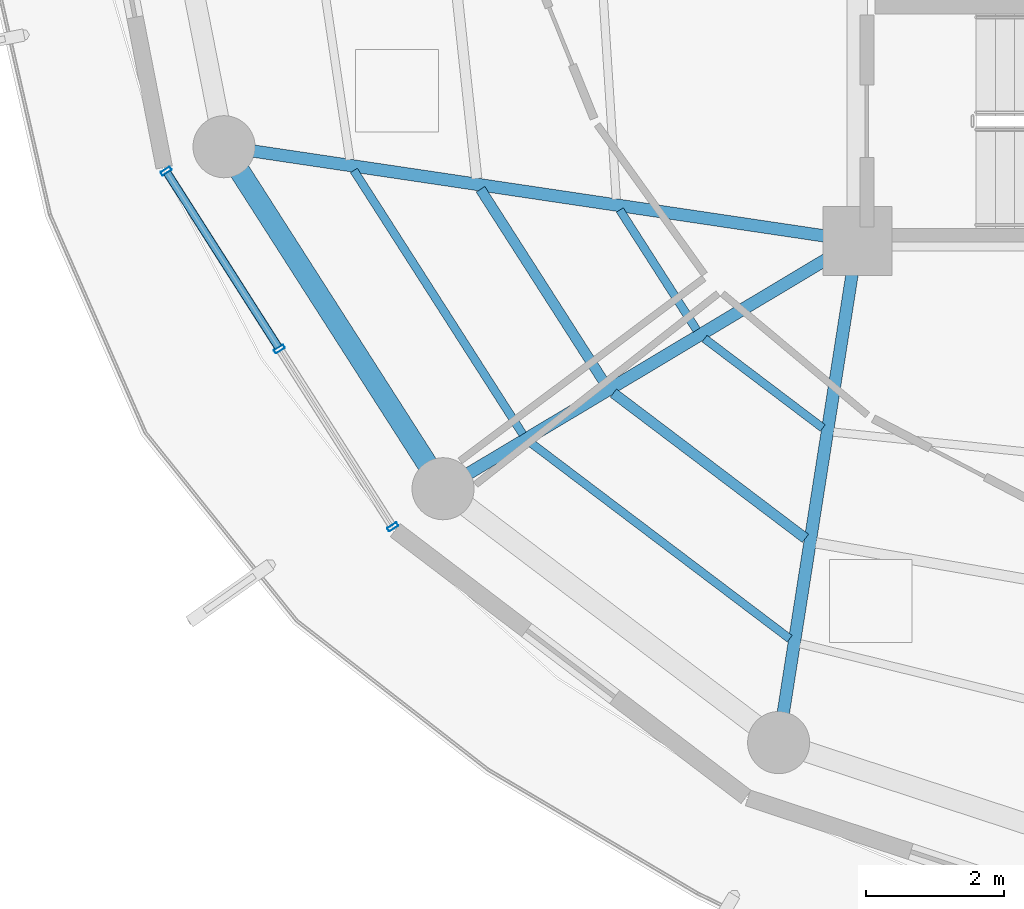
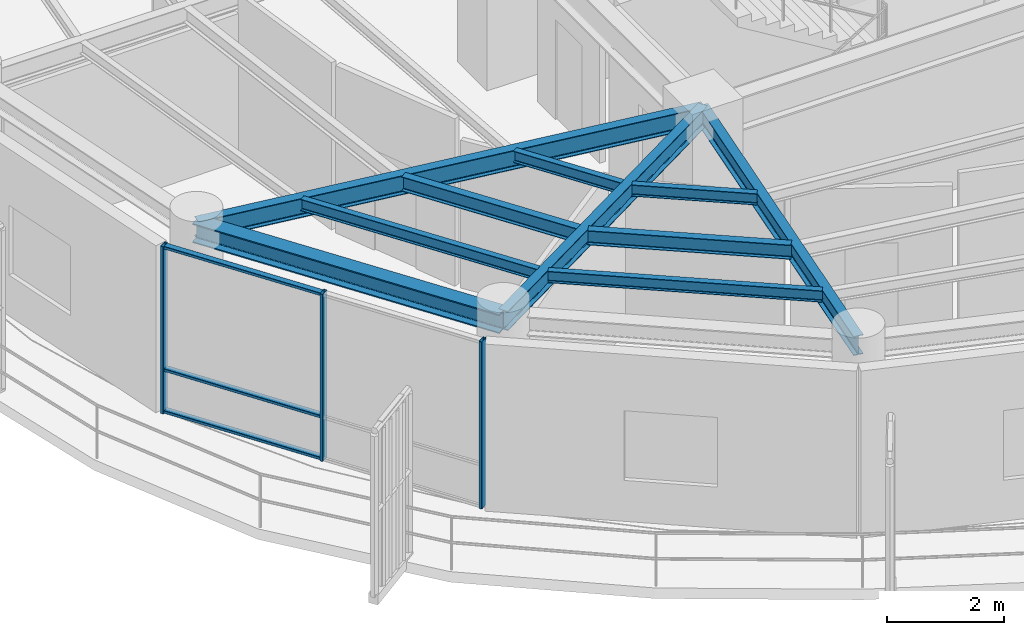
# One storey, part 2 of 22: 10 beams, 6 members, 1 element without a shape of its own.
"""IFC4 building model written with IfcOpenShell, lengths in metres."""

from ifc_helpers import new_model, si_unit, direction, frame, origin, origin_2d, place, context, subcontext, project, spatial, hollow_rectangle, i_section, extrude, material, layer, layer_set, material_profile, profile_set, type_object, element, aggregate, save


model = new_model("IFC4")

# Units and contexts
model_context = context("Model", 3, precision=1e-05, world=origin(), true_north=direction((0.0, 1.0)))
body_context = subcontext(model_context, "Body", "Model", "MODEL_VIEW")
ifc_project = project(units=[si_unit("LENGTHUNIT", "METRE"), si_unit("AREAUNIT", "SQUARE_METRE"), si_unit("VOLUMEUNIT", "CUBIC_METRE"), si_unit("PLANEANGLEUNIT", "RADIAN"), si_unit("MASSUNIT", "GRAM", prefix="KILO")], contexts=[model_context])

# Site, building, storey
site_placement = place(None, origin())
site = spatial("IfcSite", under=ifc_project, at=site_placement, CompositionType="ELEMENT")
building_placement = place(site_placement, origin())
building = spatial("IfcBuilding", under=site, at=building_placement, Name="Kelanora Arch Commons", CompositionType="ELEMENT")
storey_placement = place(building_placement, frame((0.0, 0.0, 267.449951171875)))
storey = spatial("IfcBuildingStorey", under=building, at=storey_placement, Name="L68", CompositionType="ELEMENT", Elevation=267.449951171875)

# Beams
ifc_material_1 = material(Name="Steel S355", Category="steel")
ifc_material_profile_1 = material_profile(ifc_material_1, i_section(OverallWidth=0.14990234375, OverallDepth=0.300048828125, WebThickness=0.007080078125, FlangeThickness=0.0107421875, FilletRadius=0.014892578125, at=origin_2d()), Name="IPE300")
ifc_profile_set_1 = profile_set([ifc_material_profile_1], Name="Steel S355")
beam_type_1 = type_object("IfcBeamType", Name="BM-JST-01", PredefinedType="JOIST", material=ifc_profile_set_1)
beam_1_placement = place(storey_placement, frame((60.539306640625, 51.74658203125, 3.340087890625), z_axis=(0.539321586177, -0.842099891155, 0.0), x_axis=(0.842099891155, 0.539321586177, 0.0)))
element("IfcBeam", 1, at=beam_1_placement, inside=storey, type_object=beam_type_1, Name="Secondary Chord Joist BJB-20 L68", PredefinedType="JOIST", context=body_context, shape_type="SweptSolid", body=[
    extrude(i_section(OverallWidth=0.14990234375, OverallDepth=0.300048828125, WebThickness=0.007080078125, FlangeThickness=0.0107421875, FilletRadius=0.014892578125, at=origin_2d()), origin(), (0.0, 0.0, 1.0), 3.361572265625),
])
beam_2_placement = place(storey_placement, frame((62.4658203125, 48.79296875, 3.340087890625), z_axis=(0.797499198801, -0.603320004568, 0.0), x_axis=(0.603320004568, 0.797499198801, 0.0)))
element("IfcBeam", 2, at=beam_2_placement, inside=storey, type_object=beam_type_1, Name="Secondary Chord Joist BJB-22 L68", PredefinedType="JOIST", context=body_context, shape_type="SweptSolid", body=[
    extrude(i_section(OverallWidth=0.14990234375, OverallDepth=0.300048828125, WebThickness=0.007080078125, FlangeThickness=0.0107421875, FilletRadius=0.014892578125, at=origin_2d()), origin(), (0.0, 0.0, 1.0), 3.489013671875),
])
ifc_material_profile_2 = material_profile(ifc_material_1, i_section(OverallWidth=0.1201171875, OverallDepth=0.239990234375, WebThickness=0.006103515625, FlangeThickness=0.009765625, FilletRadius=0.014892578125, at=origin_2d()), Name="IPE240")
ifc_profile_set_2 = profile_set([ifc_material_profile_2], Name="Steel S355")
beam_type_2 = type_object("IfcBeamType", Name="BM-JST-02", PredefinedType="JOIST", material=ifc_profile_set_2)
beam_3_placement = place(storey_placement, frame((62.558349609375, 51.446533203125, 3.3701171875), z_axis=(0.539311810315, -0.842106152011, 0.0), x_axis=(0.842106152011, 0.539311810315, 0.0)))
element("IfcBeam", 3, at=beam_3_placement, inside=storey, type_object=beam_type_2, Name="Secondary Chord Joist BJA-20 L68", PredefinedType="JOIST", context=body_context, shape_type="SweptSolid", body=[
    extrude(i_section(OverallWidth=0.1201171875, OverallDepth=0.239990234375, WebThickness=0.006103515625, FlangeThickness=0.009765625, FilletRadius=0.014892578125, at=origin_2d()), origin(), (0.0, 0.0, 1.0), 2.06640625),
])
beam_4_placement = place(storey_placement, frame((58.703857421875, 52.019287109375, 3.3701171875), z_axis=(0.539288735289, -0.842120929552, 0.0), x_axis=(0.842120929552, 0.539288735289, 0.0)))
element("IfcBeam", 4, at=beam_4_placement, inside=storey, type_object=beam_type_2, Name="Secondary Chord Joist BJC-20 L68", PredefinedType="JOIST", context=body_context, shape_type="SweptSolid", body=[
    extrude(i_section(OverallWidth=0.1201171875, OverallDepth=0.239990234375, WebThickness=0.006103515625, FlangeThickness=0.009765625, FilletRadius=0.014892578125, at=origin_2d()), origin(), (0.0, 0.0, 1.0), 4.538818359375),
])
beam_5_placement = place(storey_placement, frame((63.78662109375, 49.583251953125, 3.3701171875), z_axis=(0.797509883882, -0.603305880222, 0.0), x_axis=(0.603305880222, 0.797509883882, 0.0)))
element("IfcBeam", 5, at=beam_5_placement, inside=storey, type_object=beam_type_2, Name="Secondary Chord Joist BJA-22 L68", PredefinedType="JOIST", context=body_context, shape_type="SweptSolid", body=[
    extrude(i_section(OverallWidth=0.1201171875, OverallDepth=0.239990234375, WebThickness=0.006103515625, FlangeThickness=0.009765625, FilletRadius=0.014892578125, at=origin_2d()), origin(), (0.0, 0.0, 1.0), 2.147216796875),
])
beam_6_placement = place(storey_placement, frame((61.26513671875, 48.07421875, 3.3701171875), z_axis=(0.79752302984, -0.60328850219, 0.0), x_axis=(0.60328850219, 0.79752302984, 0.0)))
element("IfcBeam", 6, at=beam_6_placement, inside=storey, type_object=beam_type_2, Name="Secondary Chord Joist BJC-22 L68", PredefinedType="JOIST", context=body_context, shape_type="SweptSolid", body=[
    extrude(i_section(OverallWidth=0.1201171875, OverallDepth=0.239990234375, WebThickness=0.006103515625, FlangeThickness=0.009765625, FilletRadius=0.014892578125, at=origin_2d()), origin(), (0.0, 0.0, 1.0), 4.70849609375),
])
ifc_material_profile_3 = material_profile(ifc_material_1, i_section(OverallWidth=0.179931640625, OverallDepth=0.39990234375, WebThickness=0.008544921875, FlangeThickness=0.013427734375, FilletRadius=0.02099609375, at=origin_2d()), Name="IPE400")
ifc_profile_set_3 = profile_set([ifc_material_profile_3], Name="Steel S355")
beam_type_3 = type_object("IfcBeamType", Name="BM-RAD-Z5", PredefinedType="BEAM", material=ifc_profile_set_3)
beam_7_placement = place(storey_placement, frame((66.0, 51.0, 3.2900390625), z_axis=(-0.989142485564, 0.146959665395, 0.0), x_axis=(-0.146959665395, -0.989142485564, 0.0)))
element("IfcBeam", 7, at=beam_7_placement, inside=storey, type_object=beam_type_3, Name="Radial Floor Girder BR-20 L68", PredefinedType="BEAM", context=body_context, shape_type="SweptSolid", body=[
    extrude(i_section(OverallWidth=0.179931640625, OverallDepth=0.39990234375, WebThickness=0.008544921875, FlangeThickness=0.013427734375, FilletRadius=0.02099609375, at=origin_2d()), origin(), (0.0, 0.0, 1.0), 9.2783203125),
])
beam_8_placement = place(storey_placement, frame((66.0, 51.0, 3.2900390625), z_axis=(-0.858062005744, -0.513546097541, 0.0), x_axis=(0.513546097541, -0.858062005744, 0.0)))
element("IfcBeam", 8, at=beam_8_placement, inside=storey, type_object=beam_type_3, Name="Radial Floor Girder BR-22 L68", PredefinedType="BEAM", context=body_context, shape_type="SweptSolid", body=[
    extrude(i_section(OverallWidth=0.179931640625, OverallDepth=0.39990234375, WebThickness=0.008544921875, FlangeThickness=0.013427734375, FilletRadius=0.02099609375, at=origin_2d()), origin(), (0.0, 0.0, 1.0), 6.99658203125),
])
beam_9_placement = place(storey_placement, frame((66.0, 51.0, 3.2900390625), z_axis=(-0.154855424129, -0.987937142544, 0.0), x_axis=(0.987937142544, -0.154855424129, 0.0)))
element("IfcBeam", 9, at=beam_9_placement, inside=storey, type_object=beam_type_3, Name="Radial Floor Girder BR-24 L68", PredefinedType="BEAM", context=body_context, shape_type="SweptSolid", body=[
    extrude(i_section(OverallWidth=0.179931640625, OverallDepth=0.39990234375, WebThickness=0.008544921875, FlangeThickness=0.013427734375, FilletRadius=0.02099609375, at=origin_2d()), origin(), (0.0, 0.0, 1.0), 7.361083984375),
])
ifc_material_profile_4 = material_profile(ifc_material_1, i_section(OverallWidth=0.300048828125, OverallDepth=0.39990234375, WebThickness=0.013427734375, FlangeThickness=0.02392578125, FilletRadius=0.027099609375, at=origin_2d()), Name="HEB400")
ifc_profile_set_4 = profile_set([ifc_material_profile_4], Name="Steel S355")
beam_type_4 = type_object("IfcBeamType", Name="BM-SPN-Z4", PredefinedType="SPANDREL", material=ifc_profile_set_4)
beam_10_placement = place(storey_placement, frame((56.822509765625, 52.363525390625, 3.2900390625), z_axis=(0.539280851353, -0.842125978322, 0.0), x_axis=(0.842125978322, 0.539280851353, 0.0)))
element("IfcBeam", 10, at=beam_10_placement, inside=storey, type_object=beam_type_4, Name="Perimeter Spandrel Beam BS-20 L68", PredefinedType="SPANDREL", context=body_context, shape_type="SweptSolid", body=[
    extrude(i_section(OverallWidth=0.300048828125, OverallDepth=0.39990234375, WebThickness=0.013427734375, FlangeThickness=0.02392578125, FilletRadius=0.027099609375, at=origin_2d()), origin(), (0.0, 0.0, 1.0), 5.8857421875),
])

# Curtain wall, members
ifc_material_2 = material(Name="Terracotta ceramic-fritted low-E glass and aluminium", Category="masonry")
ifc_layer = layer(ifc_material_2, 0.18994140625)
ifc_layer_set = layer_set([ifc_layer], Name="Terracotta ceramic-fritted low-E glass and aluminium")
curtain_wall_type = type_object("IfcCurtainWallType", Name="CW-SYS-03", PredefinedType="NOTDEFINED", material=ifc_layer_set)
curtain_wall_placement = place(storey_placement, origin())
curtain_wall = element("IfcCurtainWall", 11, at=curtain_wall_placement, inside=storey, type_object=curtain_wall_type, Name="Unitised Curtain Wall L68-B10", PredefinedType="NOTDEFINED")
ifc_material_3 = material(Name="Powder-coated aluminium terracotta", Category="masonry")
ifc_material_profile_5 = material_profile(ifc_material_3, hollow_rectangle(XDim=0.159912109375, YDim=0.06005859375, WallThickness=0.0048828125, InnerFilletRadius=0.0048828125, OuterFilletRadius=0.010009765625, at=origin_2d()), Name="CWM160x60")
ifc_profile_set_5 = profile_set([ifc_material_profile_5], Name="Powder-coated aluminium terracotta")
member_type_1 = type_object("IfcMemberType", Name="CWM-STD", PredefinedType="MULLION", material=ifc_profile_set_5)
member_1_placement = place(storey_placement, frame((55.982177734375, 52.0107421875, 0.0), z_axis=(0.0, 0.0, 1.0), x_axis=(0.843391314545, 0.537299814397, 0.0)))
member_1 = element("IfcMember", 12, at=member_1_placement, type_object=member_type_1, Name="CW-03 mullion 1", PredefinedType="MULLION", context=body_context, shape_type="SweptSolid", body=[
    extrude(hollow_rectangle(XDim=0.159912109375, YDim=0.06005859375, WallThickness=0.0048828125, InnerFilletRadius=0.0048828125, OuterFilletRadius=0.010009765625, at=origin_2d()), origin(), (0.0, 0.0, 1.0), 3.47509765625),
])
member_2_placement = place(storey_placement, frame((57.625, 49.43212890625, 0.0), z_axis=(0.0, 0.0, 1.0), x_axis=(0.843391314545, 0.537299814397, 0.0)))
member_2 = element("IfcMember", 13, at=member_2_placement, type_object=member_type_1, Name="CW-03 mullion 2", PredefinedType="MULLION", context=body_context, shape_type="SweptSolid", body=[
    extrude(hollow_rectangle(XDim=0.159912109375, YDim=0.06005859375, WallThickness=0.0048828125, InnerFilletRadius=0.0048828125, OuterFilletRadius=0.010009765625, at=origin_2d()), origin(), (0.0, 0.0, 1.0), 3.47509765625),
])
member_3_placement = place(storey_placement, frame((59.267578125, 46.853515625, 0.0), z_axis=(0.0, 0.0, 1.0), x_axis=(0.843391314545, 0.537299814397, 0.0)))
member_3 = element("IfcMember", 14, at=member_3_placement, type_object=member_type_1, Name="CW-03 mullion 3", PredefinedType="MULLION", context=body_context, shape_type="SweptSolid", body=[
    extrude(hollow_rectangle(XDim=0.159912109375, YDim=0.06005859375, WallThickness=0.0048828125, InnerFilletRadius=0.0048828125, OuterFilletRadius=0.010009765625, at=origin_2d()), origin(), (0.0, 0.0, 1.0), 3.47509765625),
])
ifc_material_profile_6 = material_profile(ifc_material_3, hollow_rectangle(XDim=0.1201171875, YDim=0.06005859375, WallThickness=0.0048828125, InnerFilletRadius=0.0048828125, OuterFilletRadius=0.010009765625, at=origin_2d()), Name="CWT120x60")
ifc_profile_set_6 = profile_set([ifc_material_profile_6], Name="Powder-coated aluminium terracotta")
member_type_2 = type_object("IfcMemberType", Name="CWT-STD", PredefinedType="USERDEFINED", material=ifc_profile_set_6)
member_4_placement = place(storey_placement, frame((55.998291015625, 51.985595703125, 0.030029296875), z_axis=(0.537307571338, -0.843386372775, 0.0), x_axis=(0.843386372775, 0.537307571338, 0.0)))
member_4 = element("IfcMember", 15, at=member_4_placement, type_object=member_type_2, Name="CW-03 transom 1.1", ObjectType="TRANSOM", PredefinedType="USERDEFINED", context=body_context, shape_type="SweptSolid", body=[
    extrude(hollow_rectangle(XDim=0.1201171875, YDim=0.06005859375, WallThickness=0.0048828125, InnerFilletRadius=0.0048828125, OuterFilletRadius=0.010009765625, at=origin_2d()), origin(), (0.0, 0.0, 1.0), 2.99755859375),
])
member_5_placement = place(storey_placement, frame((55.998291015625, 51.985595703125, 0.900146484375), z_axis=(0.537307571338, -0.843386372775, 0.0), x_axis=(0.843386372775, 0.537307571338, 0.0)))
member_5 = element("IfcMember", 16, at=member_5_placement, type_object=member_type_2, Name="CW-03 transom 1.2", ObjectType="TRANSOM", PredefinedType="USERDEFINED", context=body_context, shape_type="SweptSolid", body=[
    extrude(hollow_rectangle(XDim=0.1201171875, YDim=0.06005859375, WallThickness=0.0048828125, InnerFilletRadius=0.0048828125, OuterFilletRadius=0.010009765625, at=origin_2d()), origin(), (0.0, 0.0, 1.0), 2.99755859375),
])
member_6_placement = place(storey_placement, frame((55.998291015625, 51.985595703125, 3.445068359375), z_axis=(0.537307571338, -0.843386372775, 0.0), x_axis=(0.843386372775, 0.537307571338, 0.0)))
member_6 = element("IfcMember", 17, at=member_6_placement, type_object=member_type_2, Name="CW-03 transom 1.3", ObjectType="TRANSOM", PredefinedType="USERDEFINED", context=body_context, shape_type="SweptSolid", body=[
    extrude(hollow_rectangle(XDim=0.1201171875, YDim=0.06005859375, WallThickness=0.0048828125, InnerFilletRadius=0.0048828125, OuterFilletRadius=0.010009765625, at=origin_2d()), origin(), (0.0, 0.0, 1.0), 2.99755859375),
])
aggregate(curtain_wall, [member_1, member_2, member_3, member_4, member_5, member_6])

save(model, "model.ifc")
